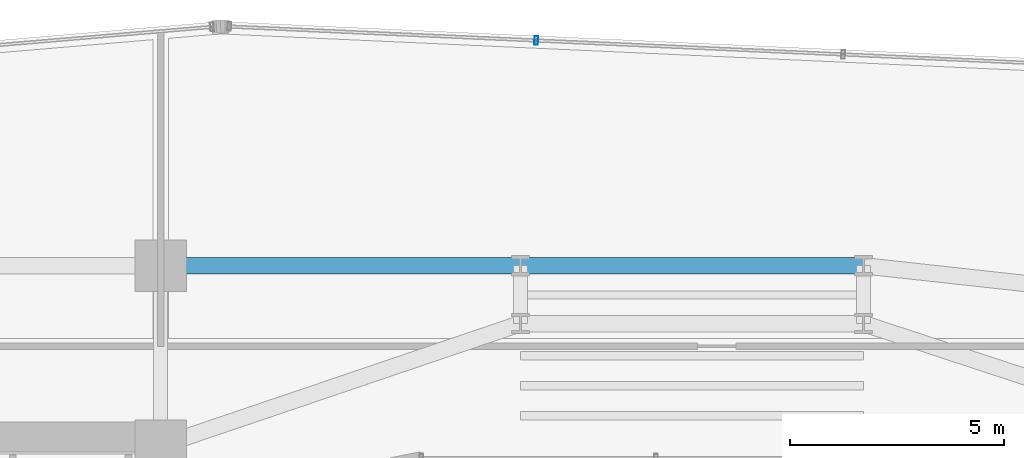
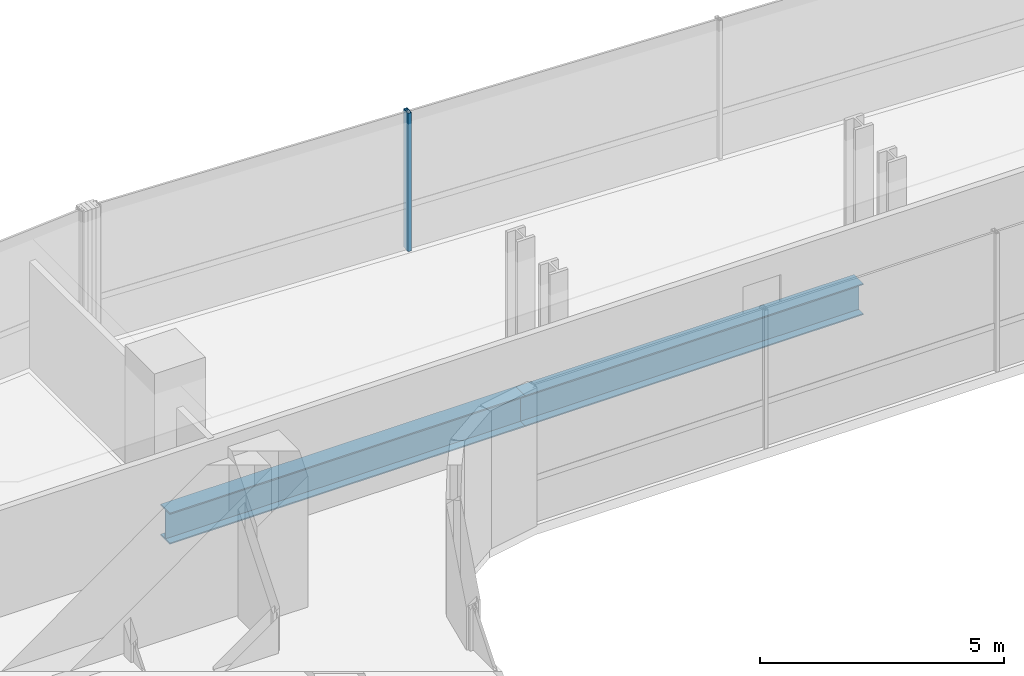
# One storey, part 21 of 34: 2 beams, 1 member, 1 element without a shape of its own.
"""IFC4 building model written with IfcOpenShell, lengths in metres."""

from ifc_helpers import new_model, si_unit, direction, frame, origin, origin_2d, place, context, subcontext, project, spatial, hollow_rectangle, i_section, extrude, source, transform, mapped, material, material_profile, profile_set, type_object, element, aggregate, save


model = new_model("IFC4")

# Units and contexts
model_context = context("Model", 3, precision=1e-05, world=origin(), true_north=direction((0.0, 1.0)))
body_context = subcontext(model_context, "Body", "Model", "MODEL_VIEW")
ifc_project = project(units=[si_unit("LENGTHUNIT", "METRE"), si_unit("AREAUNIT", "SQUARE_METRE"), si_unit("VOLUMEUNIT", "CUBIC_METRE"), si_unit("PLANEANGLEUNIT", "RADIAN"), si_unit("MASSUNIT", "GRAM", prefix="KILO")], contexts=[model_context])

# Site, building, storey
site_placement = place(None, origin())
site = spatial("IfcSite", under=ifc_project, at=site_placement, CompositionType="ELEMENT")
building_placement = place(site_placement, origin())
building = spatial("IfcBuilding", under=site, at=building_placement, Name="Valdorenza Pilgrim Sanctuary Tower", CompositionType="ELEMENT")
storey_placement = place(building_placement, frame((0.0, 0.0, 120.5)))
storey = spatial("IfcBuildingStorey", under=building, at=storey_placement, Name="L30", CompositionType="ELEMENT", Elevation=120.5)

# Beams
ifc_material_1 = material(Name="Steel ASTM A992 Grade 50", Category="steel")
ifc_material_profile_1 = material_profile(ifc_material_1, i_section(OverallWidth=0.382080078125, OverallDepth=0.779052734375, WebThickness=0.01806640625, FlangeThickness=0.030029296875, at=origin_2d()), Name="W30X191")
ifc_profile_set_1 = profile_set([ifc_material_profile_1], Name="Steel ASTM A992 Grade 50")
beam_type = type_object("IfcBeamType", Name="STR-BM-GRD-W30", PredefinedType="BEAM", material=ifc_profile_set_1)
shared_shape_1 = source(origin(), body_context, "Body", "SweptSolid", [
    extrude(i_section(OverallWidth=0.382080078125, OverallDepth=0.779052734375, WebThickness=0.01806640625, FlangeThickness=0.030029296875, at=origin_2d()), origin(), (0.0, 0.0, 1.0), 8.0),
])
beam_1_placement = place(storey_placement, frame((-4.0, 14.800048828125, -0.62939453125), z_axis=(1.0, 0.0, 0.0), x_axis=(0.0, 1.0, 0.0)))
element("IfcBeam", 1, at=beam_1_placement, inside=storey, type_object=beam_type, Name="L30 Floor Girder KNK-G5", PredefinedType="BEAM", context=body_context, shape_type="MappedRepresentation", body=[
    mapped(shared_shape_1, transform((0.0, 0.0, 0.0), x_axis=(1.0, 0.0, 0.0), y_axis=(0.0, 1.0, 0.0), z_axis=(0.0, 0.0, 1.0), scale=1.0)),
])
shared_shape_2 = source(origin(), body_context, "Body", "SweptSolid", [
    extrude(i_section(OverallWidth=0.382080078125, OverallDepth=0.779052734375, WebThickness=0.01806640625, FlangeThickness=0.030029296875, at=origin_2d()), origin(), (0.0, 0.0, 1.0), 8.39990234375),
])
beam_2_placement = place(storey_placement, frame((-12.39990234375, 14.800048828125, -0.62939453125), z_axis=(1.0, 0.0, 0.0), x_axis=(0.0, 1.0, 0.0)))
element("IfcBeam", 2, at=beam_2_placement, inside=storey, type_object=beam_type, Name="L30 Floor Girder KNK-G4", PredefinedType="BEAM", context=body_context, shape_type="MappedRepresentation", body=[
    mapped(shared_shape_2, transform((0.0, 0.0, 0.0), x_axis=(1.0, 0.0, 0.0), y_axis=(0.0, 1.0, 0.0), z_axis=(0.0, 0.0, 1.0), scale=1.0)),
])

# Curtain wall, member
ifc_material_2 = material(Name="Curtain-wall IGU glazing", Category="glass")
curtain_wall_type = type_object("IfcCurtainWallType", Name="CW-SYS-02", PredefinedType="NOTDEFINED", material=ifc_material_2)
curtain_wall_placement = place(storey_placement, origin())
curtain_wall = element("IfcCurtainWall", 3, at=curtain_wall_placement, inside=storey, type_object=curtain_wall_type, Name="L30 Curtain Wall CW-L30-1-11", PredefinedType="NOTDEFINED")
ifc_material_3 = material(Name="Anodised aluminium AW-6060", Category="aluminium")
ifc_material_profile_2 = material_profile(ifc_material_3, hollow_rectangle(XDim=0.0849609375, YDim=0.199951171875, WallThickness=0.0048828125, at=origin_2d()), Name="ALU-M 200x85x5")
ifc_profile_set_2 = profile_set([ifc_material_profile_2], Name="Anodised aluminium AW-6060")
member_type = type_object("IfcMemberType", Name="CW-MUL-02", PredefinedType="MULLION", material=ifc_profile_set_2)
shared_shape_3 = source(origin(), body_context, "Body", "SweptSolid", [
    extrude(hollow_rectangle(XDim=0.0849609375, YDim=0.199951171875, WallThickness=0.0048828125, at=origin_2d()), origin(), (0.0, 0.0, 1.0), 3.4599609375),
])
member_placement = place(storey_placement, frame((-3.6337890625, 20.05517578125, 0.0), z_axis=(0.0, 0.0, 1.0), x_axis=(0.998968193221, -0.045415294044, 0.0)))
member = element("IfcMember", 4, at=member_placement, type_object=member_type, Name="CW-L30-1-11 Mullion 2", PredefinedType="MULLION", context=body_context, shape_type="MappedRepresentation", body=[
    mapped(shared_shape_3, transform((0.0, 0.0, 0.0), x_axis=(1.0, 0.0, 0.0), y_axis=(0.0, 1.0, 0.0), z_axis=(0.0, 0.0, 1.0), scale=1.0)),
])
aggregate(curtain_wall, [member])

save(model, "model.ifc")
